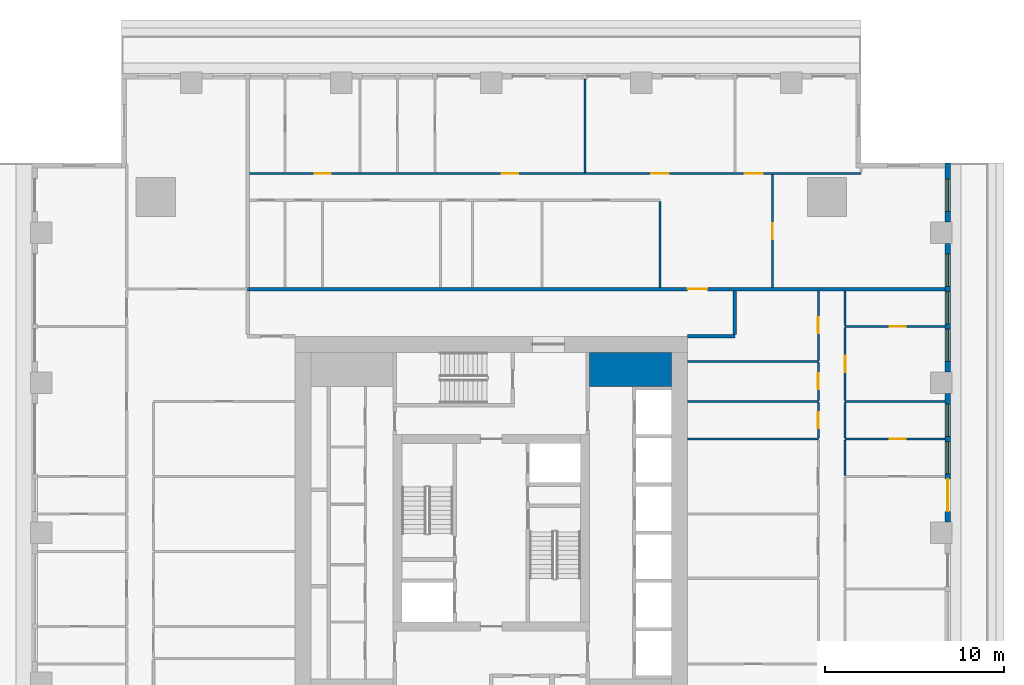
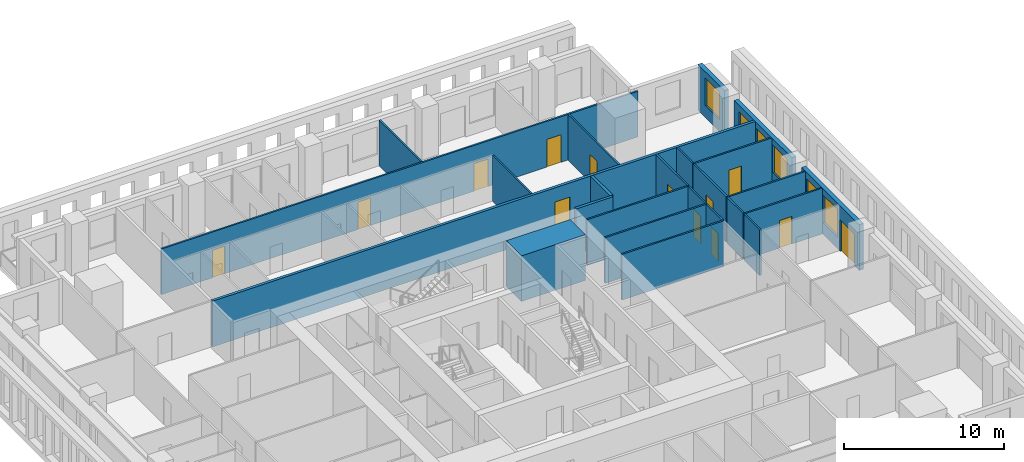
# One storey, part 8 of 14: 24 walls, 13 doors, 6 windows, 19 openings.
"""IFC4 building model written with IfcOpenShell, lengths in metres."""

from ifc_helpers import new_model, si_unit, direction, frame, frame_2d, origin, place, context, subcontext, project, spatial, rectangle, extrude, material, layer, layer_set, type_object, element, fill, save


model = new_model("IFC4")

# Units and contexts
model_context = context("Model", 3, precision=1e-05, world=origin(), true_north=direction((0.0, 1.0)))
body_context = subcontext(model_context, "Body", "Model", "MODEL_VIEW")
ifc_project = project(units=[si_unit("LENGTHUNIT", "METRE"), si_unit("AREAUNIT", "SQUARE_METRE"), si_unit("VOLUMEUNIT", "CUBIC_METRE"), si_unit("PLANEANGLEUNIT", "RADIAN"), si_unit("MASSUNIT", "GRAM", prefix="KILO")], contexts=[model_context])

# Site, building, storey
site_placement = place(None, origin())
site = spatial("IfcSite", under=ifc_project, at=site_placement, CompositionType="ELEMENT")
building_placement = place(site_placement, origin())
building = spatial("IfcBuilding", under=site, at=building_placement, Name="Khepri Terraces", CompositionType="ELEMENT")
storey_placement = place(building_placement, frame((0.0, 0.0, 264.0)))
storey = spatial("IfcBuildingStorey", under=building, at=storey_placement, Name="L63", CompositionType="ELEMENT", Elevation=264.0)

# Walls
ifc_material_1 = material(Name="Concrete C40/50", Category="concrete")
ifc_layer_1 = layer(ifc_material_1, 1.89990234375, Name="Concrete C40/50", Category="concrete")
ifc_layer_set_1 = layer_set([ifc_layer_1], Name="Concrete C40/50")
wall_type_1 = type_object("IfcWallType", Name="Core wall 1900 C40/50", PredefinedType="SHEAR", material=ifc_layer_set_1)
wall_1_placement = place(storey_placement, frame((5.5, 9.14990234375, 0.0), z_axis=(0.0, 0.0, 1.0), x_axis=(1.0, 0.0, 0.0)))
element("IfcWall", 1, at=wall_1_placement, inside=storey, type_object=wall_type_1, Name="Core wall PR04 L63", PredefinedType="SHEAR", context=body_context, shape_type="SweptSolid", body=[
    extrude(rectangle(XDim=4.60009765625, YDim=1.89990234375, at=frame_2d((2.300048828125, 0.0))), origin(), (0.0, 0.0, 1.0), 3.47998046875),
])
ifc_material_2 = material(Name="Fire-rated gypsum plasterboard partition, mineral wool")
ifc_layer_2 = layer(ifc_material_2, 0.199951171875, Name="Fire-rated gypsum plasterboard partition, mineral wool")
ifc_layer_set_2 = layer_set([ifc_layer_2], Name="Fire-rated gypsum plasterboard partition, mineral wool")
wall_type_2 = type_object("IfcWallType", Name="WL-CORR-200", PredefinedType="PARTITIONING", material=ifc_layer_set_2)
wall_2_placement = place(storey_placement, frame((11.0, 11.0, 0.0), z_axis=(0.0, 0.0, 1.0), x_axis=(1.0, 0.0, 0.0)))
element("IfcWall", 2, at=wall_2_placement, inside=storey, type_object=wall_type_2, Name="Partition P-073 L63", PredefinedType="PARTITIONING", context=body_context, shape_type="SweptSolid", body=[
    extrude(rectangle(XDim=2.64990234375, YDim=0.199951171875, at=frame_2d((1.324951171875, 0.0))), origin(), (0.0, 0.0, 1.0), 3.47998046875),
])
wall_3_placement = place(storey_placement, frame((13.64990234375, 11.10009765625, 0.0), z_axis=(0.0, 0.0, 1.0), x_axis=(0.0, 1.0, 0.0)))
element("IfcWall", 3, at=wall_3_placement, inside=storey, type_object=wall_type_2, Name="Partition P-075 L63", PredefinedType="PARTITIONING", context=body_context, shape_type="SweptSolid", body=[
    extrude(rectangle(XDim=2.449951171875, YDim=0.199951171875, at=frame_2d((1.22509765625, 0.0))), origin(), (0.0, 0.0, 1.0), 3.47998046875),
])

# Wall, opening, door
wall_4_placement = place(storey_placement, frame((-13.64990234375, 13.64990234375, 0.0), z_axis=(0.0, 0.0, 1.0), x_axis=(1.0, 0.0, 0.0)))
wall_4 = element("IfcWall", 4, at=wall_4_placement, inside=storey, type_object=wall_type_2, Name="Partition P-081 L63", PredefinedType="PARTITIONING", context=body_context, shape_type="SweptSolid", body=[
    extrude(rectangle(XDim=39.06982421875, YDim=0.199951171875, at=frame_2d((19.534912109375, 0.0))), origin(), (0.0, 0.0, 1.0), 3.47998046875),
])
opening_1_placement = place(wall_4_placement, frame((24.64990234375, 0.0, 0.0)))
opening_1 = element("IfcOpeningElement", 5, at=opening_1_placement, cuts=wall_4, Name="Opening D1", PredefinedType="OPENING", context=body_context, shape_type="SweptSolid", body=[
    extrude(rectangle(XDim=1.10009765625, YDim=2.39990234375, at=frame_2d((0.550048828125, 1.199951171875))), frame((0.0, 0.10986328125, 0.0), z_axis=(0.0, -1.0, 0.0), x_axis=(1.0, 0.0, 0.0)), (0.0, 0.0, 1.0), 0.219970703125),
])
ifc_material_3 = material(Name="Solid-core timber door leaf, flat entrance door", Category="wood")
door_type_1 = type_object("IfcDoorType", Name="DR-ENT-1100", OperationType="NOTDEFINED", PredefinedType="DOOR", material=ifc_material_3)
door_1_placement = place(opening_1_placement, origin())
door_1 = element("IfcDoor", 6, at=door_1_placement, inside=storey, type_object=door_type_1, Name="Flat C1 entrance door", OperationType="SINGLE_SWING_RIGHT", OverallHeight=2.39990234375, OverallWidth=1.10009765625, PredefinedType="DOOR", context=body_context, shape_type="SweptSolid", body=[
    extrude(rectangle(XDim=1.10009765625, YDim=2.39990234375, at=frame_2d((0.550048828125, 1.199951171875))), frame((0.0, 0.02490234375, 0.0), z_axis=(0.0, -1.0, 0.0), x_axis=(1.0, 0.0, 0.0)), (0.0, 0.0, 1.0), 0.050048828125),
])
fill(opening_1, door_1)

# Wall, openings, door, windows
ifc_material_4 = material(Name="Precast concrete C50/60 warm stone", Category="masonry")
ifc_layer_3 = layer(ifc_material_4, 0.300048828125, Name="Precast concrete C50/60 warm stone", Category="masonry")
ifc_layer_set_3 = layer_set([ifc_layer_3], Name="Precast concrete C50/60 warm stone")
wall_type_3 = type_object("IfcWallType", Name="WL-EXT-PRECAST-300", PredefinedType="STANDARD", material=ifc_layer_set_3)
wall_5_placement = place(storey_placement, frame((25.570068359375, 0.60009765625, 0.0), z_axis=(0.0, 0.0, 1.0), x_axis=(0.0, 1.0, 0.0)))
wall_5 = element("IfcWall", 7, at=wall_5_placement, inside=storey, type_object=wall_type_3, Name="External wall L63 E", PredefinedType="STANDARD", context=body_context, shape_type="SweptSolid", body=[
    extrude(rectangle(XDim=7.199951171875, YDim=0.300048828125, at=frame_2d((3.60009765625, 0.0))), origin(), (0.0, 0.0, 1.0), 3.47998046875),
])
opening_2_placement = place(wall_5_placement, frame((0.60009765625, 0.0, 0.0)))
opening_2 = element("IfcOpeningElement", 8, at=opening_2_placement, cuts=wall_5, Name="Opening ED-L63-04", PredefinedType="OPENING", context=body_context, shape_type="SweptSolid", body=[
    extrude(rectangle(XDim=1.800048828125, YDim=2.39990234375, at=frame_2d((0.89990234375, 1.199951171875))), frame((0.0, 0.16015625, 0.0), z_axis=(0.0, -1.0, 0.0), x_axis=(1.0, 0.0, 0.0)), (0.0, 0.0, 1.0), 0.320068359375),
])
opening_3_placement = place(wall_5_placement, frame((2.699951171875, 0.0, 0.89990234375)))
opening_3 = element("IfcOpeningElement", 9, at=opening_3_placement, cuts=wall_5, Name="Opening W1", PredefinedType="OPENING", context=body_context, shape_type="SweptSolid", body=[
    extrude(rectangle(XDim=1.800048828125, YDim=2.10009765625, at=frame_2d((0.89990234375, 1.050048828125))), frame((0.0, 0.16015625, 0.0), z_axis=(0.0, -1.0, 0.0), x_axis=(1.0, 0.0, 0.0)), (0.0, 0.0, 1.0), 0.320068359375),
])
opening_4_placement = place(wall_5_placement, frame((4.800048828125, 0.0, 0.89990234375)))
opening_4 = element("IfcOpeningElement", 10, at=opening_4_placement, cuts=wall_5, Name="Opening W1", PredefinedType="OPENING", context=body_context, shape_type="SweptSolid", body=[
    extrude(rectangle(XDim=1.800048828125, YDim=2.10009765625, at=frame_2d((0.89990234375, 1.050048828125))), frame((0.0, 0.16015625, 0.0), z_axis=(0.0, -1.0, 0.0), x_axis=(1.0, 0.0, 0.0)), (0.0, 0.0, 1.0), 0.320068359375),
])
ifc_material_5 = material(Name="Anodised aluminium bronze glazed door", Category="aluminium")
door_type_2 = type_object("IfcDoorType", Name="DR-BAL-SLIDE-1800x2400", OperationType="NOTDEFINED", PredefinedType="DOOR", material=ifc_material_5)
door_2_placement = place(opening_2_placement, origin())
door_2 = element("IfcDoor", 11, at=door_2_placement, inside=storey, type_object=door_type_2, Name="Balcony door L63 E", OperationType="SLIDING_TO_LEFT", OverallHeight=2.39990234375, OverallWidth=1.800048828125, PredefinedType="DOOR", context=body_context, shape_type="SweptSolid", body=[
    extrude(rectangle(XDim=1.800048828125, YDim=2.39990234375, at=frame_2d((0.89990234375, 1.199951171875))), frame((0.0, 0.02490234375, 0.0), z_axis=(0.0, -1.0, 0.0), x_axis=(1.0, 0.0, 0.0)), (0.0, 0.0, 1.0), 0.050048828125),
])
fill(opening_2, door_2)
ifc_material_6 = material(Name="Clear glass", Category="glass")
window_type = type_object("IfcWindowType", Name="WIN-RES-1800x2100", PartitioningType="SINGLE_PANEL", PredefinedType="WINDOW", material=ifc_material_6)
window_1_placement = place(opening_3_placement, origin())
window_1 = element("IfcWindow", 12, at=window_1_placement, inside=storey, type_object=window_type, Name="Window L63 E", OverallHeight=2.10009765625, OverallWidth=1.800048828125, PartitioningType="SINGLE_PANEL", PredefinedType="WINDOW", context=body_context, shape_type="SweptSolid", body=[
    extrude(rectangle(XDim=1.800048828125, YDim=2.10009765625, at=frame_2d((0.89990234375, 1.050048828125))), frame((0.0, 0.030029296875, 0.0), z_axis=(0.0, -1.0, 0.0), x_axis=(1.0, 0.0, 0.0)), (0.0, 0.0, 1.0), 0.06005859375),
])
fill(opening_3, window_1)
window_2_placement = place(opening_4_placement, origin())
window_2 = element("IfcWindow", 13, at=window_2_placement, inside=storey, type_object=window_type, Name="Window L63 E", OverallHeight=2.10009765625, OverallWidth=1.800048828125, PartitioningType="SINGLE_PANEL", PredefinedType="WINDOW", context=body_context, shape_type="SweptSolid", body=[
    extrude(rectangle(XDim=1.800048828125, YDim=2.10009765625, at=frame_2d((0.89990234375, 1.050048828125))), frame((0.0, 0.030029296875, 0.0), z_axis=(0.0, -1.0, 0.0), x_axis=(1.0, 0.0, 0.0)), (0.0, 0.0, 1.0), 0.06005859375),
])
fill(opening_4, window_2)

# Wall, openings, windows
wall_6_placement = place(storey_placement, frame((25.570068359375, 9.0, 0.0), z_axis=(0.0, 0.0, 1.0), x_axis=(0.0, 1.0, 0.0)))
wall_6 = element("IfcWall", 14, at=wall_6_placement, inside=storey, type_object=wall_type_3, Name="External wall L63 E", PredefinedType="STANDARD", context=body_context, shape_type="SweptSolid", body=[
    extrude(rectangle(XDim=7.199951171875, YDim=0.300048828125, at=frame_2d((3.60009765625, 0.0))), origin(), (0.0, 0.0, 1.0), 3.47998046875),
])
opening_5_placement = place(wall_6_placement, frame((0.60009765625, 0.0, 0.89990234375)))
opening_5 = element("IfcOpeningElement", 15, at=opening_5_placement, cuts=wall_6, Name="Opening W1", PredefinedType="OPENING", context=body_context, shape_type="SweptSolid", body=[
    extrude(rectangle(XDim=1.800048828125, YDim=2.10009765625, at=frame_2d((0.89990234375, 1.050048828125))), frame((0.0, 0.16015625, 0.0), z_axis=(0.0, -1.0, 0.0), x_axis=(1.0, 0.0, 0.0)), (0.0, 0.0, 1.0), 0.320068359375),
])
opening_6_placement = place(wall_6_placement, frame((2.699951171875, 0.0, 0.89990234375)))
opening_6 = element("IfcOpeningElement", 16, at=opening_6_placement, cuts=wall_6, Name="Opening W1", PredefinedType="OPENING", context=body_context, shape_type="SweptSolid", body=[
    extrude(rectangle(XDim=1.800048828125, YDim=2.10009765625, at=frame_2d((0.89990234375, 1.050048828125))), frame((0.0, 0.16015625, 0.0), z_axis=(0.0, -1.0, 0.0), x_axis=(1.0, 0.0, 0.0)), (0.0, 0.0, 1.0), 0.320068359375),
])
opening_7_placement = place(wall_6_placement, frame((4.800048828125, 0.0, 0.89990234375)))
opening_7 = element("IfcOpeningElement", 17, at=opening_7_placement, cuts=wall_6, Name="Opening W1", PredefinedType="OPENING", context=body_context, shape_type="SweptSolid", body=[
    extrude(rectangle(XDim=1.800048828125, YDim=2.10009765625, at=frame_2d((0.89990234375, 1.050048828125))), frame((0.0, 0.16015625, 0.0), z_axis=(0.0, -1.0, 0.0), x_axis=(1.0, 0.0, 0.0)), (0.0, 0.0, 1.0), 0.320068359375),
])
window_3_placement = place(opening_5_placement, origin())
window_3 = element("IfcWindow", 18, at=window_3_placement, inside=storey, type_object=window_type, Name="Window L63 E", OverallHeight=2.10009765625, OverallWidth=1.800048828125, PartitioningType="SINGLE_PANEL", PredefinedType="WINDOW", context=body_context, shape_type="SweptSolid", body=[
    extrude(rectangle(XDim=1.800048828125, YDim=2.10009765625, at=frame_2d((0.89990234375, 1.050048828125))), frame((0.0, 0.030029296875, 0.0), z_axis=(0.0, -1.0, 0.0), x_axis=(1.0, 0.0, 0.0)), (0.0, 0.0, 1.0), 0.06005859375),
])
fill(opening_5, window_3)
window_4_placement = place(opening_6_placement, origin())
window_4 = element("IfcWindow", 19, at=window_4_placement, inside=storey, type_object=window_type, Name="Window L63 E", OverallHeight=2.10009765625, OverallWidth=1.800048828125, PartitioningType="SINGLE_PANEL", PredefinedType="WINDOW", context=body_context, shape_type="SweptSolid", body=[
    extrude(rectangle(XDim=1.800048828125, YDim=2.10009765625, at=frame_2d((0.89990234375, 1.050048828125))), frame((0.0, 0.030029296875, 0.0), z_axis=(0.0, -1.0, 0.0), x_axis=(1.0, 0.0, 0.0)), (0.0, 0.0, 1.0), 0.06005859375),
])
fill(opening_6, window_4)
window_5_placement = place(opening_7_placement, origin())
window_5 = element("IfcWindow", 20, at=window_5_placement, inside=storey, type_object=window_type, Name="Window L63 E", OverallHeight=2.10009765625, OverallWidth=1.800048828125, PartitioningType="SINGLE_PANEL", PredefinedType="WINDOW", context=body_context, shape_type="SweptSolid", body=[
    extrude(rectangle(XDim=1.800048828125, YDim=2.10009765625, at=frame_2d((0.89990234375, 1.050048828125))), frame((0.0, 0.030029296875, 0.0), z_axis=(0.0, -1.0, 0.0), x_axis=(1.0, 0.0, 0.0)), (0.0, 0.0, 1.0), 0.06005859375),
])
fill(opening_7, window_5)

# Wall, opening, window
wall_7_placement = place(storey_placement, frame((25.570068359375, 17.39990234375, 0.0), z_axis=(0.0, 0.0, 1.0), x_axis=(0.0, 1.0, 0.0)))
wall_7 = element("IfcWall", 21, at=wall_7_placement, inside=storey, type_object=wall_type_3, Name="External wall L63 E", PredefinedType="STANDARD", context=body_context, shape_type="SweptSolid", body=[
    extrude(rectangle(XDim=3.320068359375, YDim=0.300048828125, at=frame_2d((1.66015625, 0.0))), origin(), (0.0, 0.0, 1.0), 3.47998046875),
])
opening_8_placement = place(wall_7_placement, frame((0.60009765625, 0.0, 0.89990234375)))
opening_8 = element("IfcOpeningElement", 22, at=opening_8_placement, cuts=wall_7, Name="Opening W1", PredefinedType="OPENING", context=body_context, shape_type="SweptSolid", body=[
    extrude(rectangle(XDim=1.800048828125, YDim=2.10009765625, at=frame_2d((0.89990234375, 1.050048828125))), frame((0.0, 0.16015625, 0.0), z_axis=(0.0, -1.0, 0.0), x_axis=(1.0, 0.0, 0.0)), (0.0, 0.0, 1.0), 0.320068359375),
])
window_6_placement = place(opening_8_placement, origin())
window_6 = element("IfcWindow", 23, at=window_6_placement, inside=storey, type_object=window_type, Name="Window L63 E", OverallHeight=2.10009765625, OverallWidth=1.800048828125, PartitioningType="SINGLE_PANEL", PredefinedType="WINDOW", context=body_context, shape_type="SweptSolid", body=[
    extrude(rectangle(XDim=1.800048828125, YDim=2.10009765625, at=frame_2d((0.89990234375, 1.050048828125))), frame((0.0, 0.030029296875, 0.0), z_axis=(0.0, -1.0, 0.0), x_axis=(1.0, 0.0, 0.0)), (0.0, 0.0, 1.0), 0.06005859375),
])
fill(opening_8, window_6)

# Walls
ifc_material_7 = material(Name="Gypsum plasterboard partition")
ifc_layer_4 = layer(ifc_material_7, 0.1201171875, Name="Gypsum plasterboard partition")
ifc_layer_set_4 = layer_set([ifc_layer_4], Name="Gypsum plasterboard partition")
wall_type_4 = type_object("IfcWallType", Name="WL-PART-120", PredefinedType="PARTITIONING", material=ifc_layer_set_4)
wall_8_placement = place(storey_placement, frame((19.820068359375, 3.2099609375, 0.0), z_axis=(0.0, 0.0, 1.0), x_axis=(0.0, 1.0, 0.0)))
element("IfcWall", 24, at=wall_8_placement, inside=storey, type_object=wall_type_4, Name="Partition P-060 L63", PredefinedType="PARTITIONING", context=body_context, shape_type="SweptSolid", body=[
    extrude(rectangle(XDim=1.97998046875, YDim=0.1201171875, at=frame_2d((0.989990234375, 0.0))), origin(), (0.0, 0.0, 1.0), 3.47998046875),
])
wall_9_placement = place(storey_placement, frame((11.0, 5.25, 0.0), z_axis=(0.0, 0.0, 1.0), x_axis=(1.0, 0.0, 0.0)))
element("IfcWall", 25, at=wall_9_placement, inside=storey, type_object=wall_type_4, Name="Partition P-061 L63", PredefinedType="PARTITIONING", context=body_context, shape_type="SweptSolid", body=[
    extrude(rectangle(XDim=7.320068359375, YDim=0.1201171875, at=frame_2d((3.66015625, 0.0))), origin(), (0.0, 0.0, 1.0), 3.47998046875),
])

# Wall, opening, door
wall_10_placement = place(storey_placement, frame((19.820068359375, 5.25, 0.0), z_axis=(0.0, 0.0, 1.0), x_axis=(1.0, 0.0, 0.0)))
wall_10 = element("IfcWall", 26, at=wall_10_placement, inside=storey, type_object=wall_type_4, Name="Partition P-062 L63", PredefinedType="PARTITIONING", context=body_context, shape_type="SweptSolid", body=[
    extrude(rectangle(XDim=5.599853515625, YDim=0.1201171875, at=frame_2d((2.7998046875, 0.0))), origin(), (0.0, 0.0, 1.0), 3.47998046875),
])
opening_9_placement = place(wall_10_placement, frame((2.5, 0.0, 0.0)))
opening_9 = element("IfcOpeningElement", 27, at=opening_9_placement, cuts=wall_10, Name="Opening D4", PredefinedType="OPENING", context=body_context, shape_type="SweptSolid", body=[
    extrude(rectangle(XDim=0.89990234375, YDim=2.10009765625, at=frame_2d((0.449951171875, 1.050048828125))), frame((0.0, 0.070068359375, 0.0), z_axis=(0.0, -1.0, 0.0), x_axis=(1.0, 0.0, 0.0)), (0.0, 0.0, 1.0), 0.14013671875),
])
ifc_material_8 = material(Name="Timber door leaf, moisture resistant", Category="wood")
door_type_3 = type_object("IfcDoorType", Name="DR-WET-900", OperationType="NOTDEFINED", PredefinedType="DOOR", material=ifc_material_8)
door_3_placement = place(opening_9_placement, origin())
door_3 = element("IfcDoor", 28, at=door_3_placement, inside=storey, type_object=door_type_3, Name="Door Bathroom", OperationType="SINGLE_SWING_RIGHT", OverallHeight=2.10009765625, OverallWidth=0.89990234375, PredefinedType="DOOR", context=body_context, shape_type="SweptSolid", body=[
    extrude(rectangle(XDim=0.89990234375, YDim=2.10009765625, at=frame_2d((0.449951171875, 1.050048828125))), frame((0.0, 0.02490234375, 0.0), z_axis=(0.0, -1.0, 0.0), x_axis=(1.0, 0.0, 0.0)), (0.0, 0.0, 1.0), 0.050048828125),
])
fill(opening_9, door_3)

wall_11_placement = place(storey_placement, frame((18.320068359375, 5.31005859375, 0.0), z_axis=(0.0, 0.0, 1.0), x_axis=(0.0, 1.0, 0.0)))
wall_11 = element("IfcWall", 29, at=wall_11_placement, inside=storey, type_object=wall_type_4, Name="Partition P-063 L63", PredefinedType="PARTITIONING", context=body_context, shape_type="SweptSolid", body=[
    extrude(rectangle(XDim=1.97998046875, YDim=0.1201171875, at=frame_2d((0.989990234375, 0.0))), origin(), (0.0, 0.0, 1.0), 3.47998046875),
])
opening_10_placement = place(wall_11_placement, frame((0.5400390625, 0.0, 0.0)))
opening_10 = element("IfcOpeningElement", 30, at=opening_10_placement, cuts=wall_11, Name="Opening D4", PredefinedType="OPENING", context=body_context, shape_type="SweptSolid", body=[
    extrude(rectangle(XDim=0.89990234375, YDim=2.10009765625, at=frame_2d((0.449951171875, 1.050048828125))), frame((0.0, 0.070068359375, 0.0), z_axis=(0.0, -1.0, 0.0), x_axis=(1.0, 0.0, 0.0)), (0.0, 0.0, 1.0), 0.14013671875),
])
door_4_placement = place(opening_10_placement, origin())
door_4 = element("IfcDoor", 31, at=door_4_placement, inside=storey, type_object=door_type_3, Name="Door Powder Room", OperationType="SINGLE_SWING_RIGHT", OverallHeight=2.10009765625, OverallWidth=0.89990234375, PredefinedType="DOOR", context=body_context, shape_type="SweptSolid", body=[
    extrude(rectangle(XDim=0.89990234375, YDim=2.10009765625, at=frame_2d((0.449951171875, 1.050048828125))), frame((0.0, 0.02490234375, 0.0), z_axis=(0.0, -1.0, 0.0), x_axis=(1.0, 0.0, 0.0)), (0.0, 0.0, 1.0), 0.050048828125),
])
fill(opening_10, door_4)

# Walls
wall_12_placement = place(storey_placement, frame((19.820068359375, 5.31005859375, 0.0), z_axis=(0.0, 0.0, 1.0), x_axis=(0.0, 1.0, 0.0)))
element("IfcWall", 32, at=wall_12_placement, inside=storey, type_object=wall_type_4, Name="Partition P-064 L63", PredefinedType="PARTITIONING", context=body_context, shape_type="SweptSolid", body=[
    extrude(rectangle(XDim=1.97998046875, YDim=0.1201171875, at=frame_2d((0.989990234375, 0.0))), origin(), (0.0, 0.0, 1.0), 3.47998046875),
])
wall_13_placement = place(storey_placement, frame((11.0, 7.35009765625, 0.0), z_axis=(0.0, 0.0, 1.0), x_axis=(1.0, 0.0, 0.0)))
element("IfcWall", 33, at=wall_13_placement, inside=storey, type_object=wall_type_4, Name="Partition P-066 L63", PredefinedType="PARTITIONING", context=body_context, shape_type="SweptSolid", body=[
    extrude(rectangle(XDim=7.320068359375, YDim=0.1201171875, at=frame_2d((3.66015625, 0.0))), origin(), (0.0, 0.0, 1.0), 3.47998046875),
])
wall_14_placement = place(storey_placement, frame((19.820068359375, 7.35009765625, 0.0), z_axis=(0.0, 0.0, 1.0), x_axis=(1.0, 0.0, 0.0)))
element("IfcWall", 34, at=wall_14_placement, inside=storey, type_object=wall_type_4, Name="Partition P-067 L63", PredefinedType="PARTITIONING", context=body_context, shape_type="SweptSolid", body=[
    extrude(rectangle(XDim=5.599853515625, YDim=0.1201171875, at=frame_2d((2.7998046875, 0.0))), origin(), (0.0, 0.0, 1.0), 3.47998046875),
])

# Wall, opening, door
wall_15_placement = place(storey_placement, frame((18.320068359375, 7.409912109375, 0.0), z_axis=(0.0, 0.0, 1.0), x_axis=(0.0, 1.0, 0.0)))
wall_15 = element("IfcWall", 35, at=wall_15_placement, inside=storey, type_object=wall_type_4, Name="Partition P-068 L63", PredefinedType="PARTITIONING", context=body_context, shape_type="SweptSolid", body=[
    extrude(rectangle(XDim=2.130126953125, YDim=0.1201171875, at=frame_2d((1.06494140625, 0.0))), origin(), (0.0, 0.0, 1.0), 3.47998046875),
])
opening_11_placement = place(wall_15_placement, frame((0.614990234375, 0.0, 0.0)))
opening_11 = element("IfcOpeningElement", 36, at=opening_11_placement, cuts=wall_15, Name="Opening D4", PredefinedType="OPENING", context=body_context, shape_type="SweptSolid", body=[
    extrude(rectangle(XDim=0.89990234375, YDim=2.10009765625, at=frame_2d((0.449951171875, 1.050048828125))), frame((0.0, 0.070068359375, 0.0), z_axis=(0.0, -1.0, 0.0), x_axis=(1.0, 0.0, 0.0)), (0.0, 0.0, 1.0), 0.14013671875),
])
door_5_placement = place(opening_11_placement, origin())
door_5 = element("IfcDoor", 37, at=door_5_placement, inside=storey, type_object=door_type_3, Name="Door Guest Bathroom", OperationType="SINGLE_SWING_RIGHT", OverallHeight=2.10009765625, OverallWidth=0.89990234375, PredefinedType="DOOR", context=body_context, shape_type="SweptSolid", body=[
    extrude(rectangle(XDim=0.89990234375, YDim=2.10009765625, at=frame_2d((0.449951171875, 1.050048828125))), frame((0.0, 0.02490234375, 0.0), z_axis=(0.0, -1.0, 0.0), x_axis=(1.0, 0.0, 0.0)), (0.0, 0.0, 1.0), 0.050048828125),
])
fill(opening_11, door_5)

wall_16_placement = place(storey_placement, frame((19.820068359375, 7.409912109375, 0.0), z_axis=(0.0, 0.0, 1.0), x_axis=(0.0, 1.0, 0.0)))
wall_16 = element("IfcWall", 38, at=wall_16_placement, inside=storey, type_object=wall_type_4, Name="Partition P-069 L63", PredefinedType="PARTITIONING", context=body_context, shape_type="SweptSolid", body=[
    extrude(rectangle(XDim=4.080078125, YDim=0.1201171875, at=frame_2d((2.0400390625, 0.0))), origin(), (0.0, 0.0, 1.0), 3.47998046875),
])
opening_12_placement = place(wall_16_placement, frame((1.590087890625, 0.0, 0.0)))
opening_12 = element("IfcOpeningElement", 39, at=opening_12_placement, cuts=wall_16, Name="Opening D3", PredefinedType="OPENING", context=body_context, shape_type="SweptSolid", body=[
    extrude(rectangle(XDim=0.89990234375, YDim=2.10009765625, at=frame_2d((0.449951171875, 1.050048828125))), frame((0.0, 0.070068359375, 0.0), z_axis=(0.0, -1.0, 0.0), x_axis=(1.0, 0.0, 0.0)), (0.0, 0.0, 1.0), 0.14013671875),
])
ifc_material_9 = material(Name="Timber door leaf", Category="wood")
door_type_4 = type_object("IfcDoorType", Name="DR-INT-900", OperationType="NOTDEFINED", PredefinedType="DOOR", material=ifc_material_9)
door_6_placement = place(opening_12_placement, frame((0.89990234375, 0.0, 0.0), z_axis=(0.0, 0.0, 1.0), x_axis=(-1.0, 0.0, 0.0)))
door_6 = element("IfcDoor", 40, at=door_6_placement, inside=storey, type_object=door_type_4, Name="Door Bedroom", OperationType="SINGLE_SWING_RIGHT", OverallHeight=2.10009765625, OverallWidth=0.89990234375, PredefinedType="DOOR", context=body_context, shape_type="SweptSolid", body=[
    extrude(rectangle(XDim=0.89990234375, YDim=2.10009765625, at=frame_2d((0.449951171875, 1.050048828125))), frame((0.0, 0.02490234375, 0.0), z_axis=(0.0, -1.0, 0.0), x_axis=(1.0, 0.0, 0.0)), (0.0, 0.0, 1.0), 0.050048828125),
])
fill(opening_12, door_6)

# Wall
wall_17_placement = place(storey_placement, frame((11.0, 9.60009765625, 0.0), z_axis=(0.0, 0.0, 1.0), x_axis=(1.0, 0.0, 0.0)))
element("IfcWall", 41, at=wall_17_placement, inside=storey, type_object=wall_type_4, Name="Partition P-070 L63", PredefinedType="PARTITIONING", context=body_context, shape_type="SweptSolid", body=[
    extrude(rectangle(XDim=7.320068359375, YDim=0.1201171875, at=frame_2d((3.66015625, 0.0))), origin(), (0.0, 0.0, 1.0), 3.47998046875),
])

# Wall, opening, door
wall_18_placement = place(storey_placement, frame((18.320068359375, 9.659912109375, 0.0), z_axis=(0.0, 0.0, 1.0), x_axis=(0.0, 1.0, 0.0)))
wall_18 = element("IfcWall", 42, at=wall_18_placement, inside=storey, type_object=wall_type_4, Name="Partition P-071 L63", PredefinedType="PARTITIONING", context=body_context, shape_type="SweptSolid", body=[
    extrude(rectangle(XDim=3.89013671875, YDim=0.1201171875, at=frame_2d((1.945068359375, 0.0))), origin(), (0.0, 0.0, 1.0), 3.47998046875),
])
opening_13_placement = place(wall_18_placement, frame((1.514892578125, 0.0, 0.0)))
opening_13 = element("IfcOpeningElement", 43, at=opening_13_placement, cuts=wall_18, Name="Opening D3", PredefinedType="OPENING", context=body_context, shape_type="SweptSolid", body=[
    extrude(rectangle(XDim=0.89990234375, YDim=2.10009765625, at=frame_2d((0.449951171875, 1.050048828125))), frame((0.0, 0.070068359375, 0.0), z_axis=(0.0, -1.0, 0.0), x_axis=(1.0, 0.0, 0.0)), (0.0, 0.0, 1.0), 0.14013671875),
])
door_7_placement = place(opening_13_placement, origin())
door_7 = element("IfcDoor", 44, at=door_7_placement, inside=storey, type_object=door_type_4, Name="Door Library", OperationType="SINGLE_SWING_RIGHT", OverallHeight=2.10009765625, OverallWidth=0.89990234375, PredefinedType="DOOR", context=body_context, shape_type="SweptSolid", body=[
    extrude(rectangle(XDim=0.89990234375, YDim=2.10009765625, at=frame_2d((0.449951171875, 1.050048828125))), frame((0.0, 0.02490234375, 0.0), z_axis=(0.0, -1.0, 0.0), x_axis=(1.0, 0.0, 0.0)), (0.0, 0.0, 1.0), 0.050048828125),
])
fill(opening_13, door_7)

wall_19_placement = place(storey_placement, frame((19.820068359375, 11.550048828125, 0.0), z_axis=(0.0, 0.0, 1.0), x_axis=(1.0, 0.0, 0.0)))
wall_19 = element("IfcWall", 45, at=wall_19_placement, inside=storey, type_object=wall_type_4, Name="Partition P-077 L63", PredefinedType="PARTITIONING", context=body_context, shape_type="SweptSolid", body=[
    extrude(rectangle(XDim=5.599853515625, YDim=0.1201171875, at=frame_2d((2.7998046875, 0.0))), origin(), (0.0, 0.0, 1.0), 3.47998046875),
])
opening_14_placement = place(wall_19_placement, frame((2.5, 0.0, 0.0)))
opening_14 = element("IfcOpeningElement", 46, at=opening_14_placement, cuts=wall_19, Name="Opening D4", PredefinedType="OPENING", context=body_context, shape_type="SweptSolid", body=[
    extrude(rectangle(XDim=0.89990234375, YDim=2.10009765625, at=frame_2d((0.449951171875, 1.050048828125))), frame((0.0, 0.070068359375, 0.0), z_axis=(0.0, -1.0, 0.0), x_axis=(1.0, 0.0, 0.0)), (0.0, 0.0, 1.0), 0.14013671875),
])
door_8_placement = place(opening_14_placement, origin())
door_8 = element("IfcDoor", 47, at=door_8_placement, inside=storey, type_object=door_type_3, Name="Door Bathroom", OperationType="SINGLE_SWING_RIGHT", OverallHeight=2.10009765625, OverallWidth=0.89990234375, PredefinedType="DOOR", context=body_context, shape_type="SweptSolid", body=[
    extrude(rectangle(XDim=0.89990234375, YDim=2.10009765625, at=frame_2d((0.449951171875, 1.050048828125))), frame((0.0, 0.02490234375, 0.0), z_axis=(0.0, -1.0, 0.0), x_axis=(1.0, 0.0, 0.0)), (0.0, 0.0, 1.0), 0.050048828125),
])
fill(opening_14, door_8)

# Walls
wall_20_placement = place(storey_placement, frame((19.820068359375, 11.610107421875, 0.0), z_axis=(0.0, 0.0, 1.0), x_axis=(0.0, 1.0, 0.0)))
element("IfcWall", 48, at=wall_20_placement, inside=storey, type_object=wall_type_4, Name="Partition P-079 L63", PredefinedType="PARTITIONING", context=body_context, shape_type="SweptSolid", body=[
    extrude(rectangle(XDim=1.93994140625, YDim=0.1201171875, at=frame_2d((0.969970703125, 0.0))), origin(), (0.0, 0.0, 1.0), 3.47998046875),
])
wall_21_placement = place(storey_placement, frame((9.449951171875, 13.75, 0.0), z_axis=(0.0, 0.0, 1.0), x_axis=(0.0, 1.0, 0.0)))
element("IfcWall", 49, at=wall_21_placement, inside=storey, type_object=wall_type_4, Name="Partition P-089 L63", PredefinedType="PARTITIONING", context=body_context, shape_type="SweptSolid", body=[
    extrude(rectangle(XDim=4.81005859375, YDim=0.1201171875, at=frame_2d((2.405029296875, 0.0))), origin(), (0.0, 0.0, 1.0), 3.47998046875),
])

# Wall, opening, door
wall_22_placement = place(storey_placement, frame((15.75, 13.75, 0.0), z_axis=(0.0, 0.0, 1.0), x_axis=(0.0, 1.0, 0.0)))
wall_22 = element("IfcWall", 50, at=wall_22_placement, inside=storey, type_object=wall_type_4, Name="Partition P-090 L63", PredefinedType="PARTITIONING", context=body_context, shape_type="SweptSolid", body=[
    extrude(rectangle(XDim=6.31005859375, YDim=0.1201171875, at=frame_2d((3.155029296875, 0.0))), origin(), (0.0, 0.0, 1.0), 3.47998046875),
])
opening_15_placement = place(wall_22_placement, frame((2.68505859375, 0.0, 0.0)))
opening_15 = element("IfcOpeningElement", 51, at=opening_15_placement, cuts=wall_22, Name="Opening D3", PredefinedType="OPENING", context=body_context, shape_type="SweptSolid", body=[
    extrude(rectangle(XDim=0.89990234375, YDim=2.10009765625, at=frame_2d((0.449951171875, 1.050048828125))), frame((0.0, 0.070068359375, 0.0), z_axis=(0.0, -1.0, 0.0), x_axis=(1.0, 0.0, 0.0)), (0.0, 0.0, 1.0), 0.14013671875),
])
door_9_placement = place(opening_15_placement, frame((0.89990234375, 0.0, 0.0), z_axis=(0.0, 0.0, 1.0), x_axis=(-1.0, 0.0, 0.0)))
door_9 = element("IfcDoor", 52, at=door_9_placement, inside=storey, type_object=door_type_4, Name="Door Home Cinema", OperationType="SINGLE_SWING_RIGHT", OverallHeight=2.10009765625, OverallWidth=0.89990234375, PredefinedType="DOOR", context=body_context, shape_type="SweptSolid", body=[
    extrude(rectangle(XDim=0.89990234375, YDim=2.10009765625, at=frame_2d((0.449951171875, 1.050048828125))), frame((0.0, 0.02490234375, 0.0), z_axis=(0.0, -1.0, 0.0), x_axis=(1.0, 0.0, 0.0)), (0.0, 0.0, 1.0), 0.050048828125),
])
fill(opening_15, door_9)

# Wall, openings, doors
wall_23_placement = place(storey_placement, frame((-13.550048828125, 20.1201171875, 0.0), z_axis=(0.0, 0.0, 1.0), x_axis=(1.0, 0.0, 0.0)))
wall_23 = element("IfcWall", 53, at=wall_23_placement, inside=storey, type_object=wall_type_4, Name="Partition P-092 L63", PredefinedType="PARTITIONING", context=body_context, shape_type="SweptSolid", body=[
    extrude(rectangle(XDim=34.26904296875, YDim=0.1201171875, at=frame_2d((17.134521484375, 0.0))), origin(), (0.0, 0.0, 1.0), 3.47998046875),
])
opening_16_placement = place(wall_23_placement, frame((27.75, 0.0, 0.0)))
opening_16 = element("IfcOpeningElement", 54, at=opening_16_placement, cuts=wall_23, Name="Opening D2", PredefinedType="OPENING", context=body_context, shape_type="SweptSolid", body=[
    extrude(rectangle(XDim=1.0, YDim=2.10009765625, at=frame_2d((0.5, 1.050048828125))), frame((0.0, 0.070068359375, 0.0), z_axis=(0.0, -1.0, 0.0), x_axis=(1.0, 0.0, 0.0)), (0.0, 0.0, 1.0), 0.14013671875),
])
opening_17_placement = place(wall_23_placement, frame((22.5, 0.0, 0.0)))
opening_17 = element("IfcOpeningElement", 55, at=opening_17_placement, cuts=wall_23, Name="Opening D2", PredefinedType="OPENING", context=body_context, shape_type="SweptSolid", body=[
    extrude(rectangle(XDim=1.0, YDim=2.10009765625, at=frame_2d((0.5, 1.050048828125))), frame((0.0, 0.070068359375, 0.0), z_axis=(0.0, -1.0, 0.0), x_axis=(1.0, 0.0, 0.0)), (0.0, 0.0, 1.0), 0.14013671875),
])
opening_18_placement = place(wall_23_placement, frame((14.14990234375, 0.0, 0.0)))
opening_18 = element("IfcOpeningElement", 56, at=opening_18_placement, cuts=wall_23, Name="Opening D3", PredefinedType="OPENING", context=body_context, shape_type="SweptSolid", body=[
    extrude(rectangle(XDim=0.89990234375, YDim=2.10009765625, at=frame_2d((0.449951171875, 1.050048828125))), frame((0.0, 0.070068359375, 0.0), z_axis=(0.0, -1.0, 0.0), x_axis=(1.0, 0.0, 0.0)), (0.0, 0.0, 1.0), 0.14013671875),
])
opening_19_placement = place(wall_23_placement, frame((3.64990234375, 0.0, 0.0)))
opening_19 = element("IfcOpeningElement", 57, at=opening_19_placement, cuts=wall_23, Name="Opening D3", PredefinedType="OPENING", context=body_context, shape_type="SweptSolid", body=[
    extrude(rectangle(XDim=0.89990234375, YDim=2.10009765625, at=frame_2d((0.449951171875, 1.050048828125))), frame((0.0, 0.070068359375, 0.0), z_axis=(0.0, -1.0, 0.0), x_axis=(1.0, 0.0, 0.0)), (0.0, 0.0, 1.0), 0.14013671875),
])
ifc_material_10 = material(Name="Timber door leaf, living room door", Category="wood")
door_type_5 = type_object("IfcDoorType", Name="DR-INT-1000", OperationType="NOTDEFINED", PredefinedType="DOOR", material=ifc_material_10)
door_10_placement = place(opening_16_placement, origin())
door_10 = element("IfcDoor", 58, at=door_10_placement, inside=storey, type_object=door_type_5, Name="Door Sun Lounge", OperationType="SINGLE_SWING_RIGHT", OverallHeight=2.10009765625, OverallWidth=1.0, PredefinedType="DOOR", context=body_context, shape_type="SweptSolid", body=[
    extrude(rectangle(XDim=1.0, YDim=2.10009765625, at=frame_2d((0.5, 1.050048828125))), frame((0.0, 0.02490234375, 0.0), z_axis=(0.0, -1.0, 0.0), x_axis=(1.0, 0.0, 0.0)), (0.0, 0.0, 1.0), 0.050048828125),
])
fill(opening_16, door_10)
door_11_placement = place(opening_17_placement, origin())
door_11 = element("IfcDoor", 59, at=door_11_placement, inside=storey, type_object=door_type_5, Name="Door Living Room", OperationType="SINGLE_SWING_RIGHT", OverallHeight=2.10009765625, OverallWidth=1.0, PredefinedType="DOOR", context=body_context, shape_type="SweptSolid", body=[
    extrude(rectangle(XDim=1.0, YDim=2.10009765625, at=frame_2d((0.5, 1.050048828125))), frame((0.0, 0.02490234375, 0.0), z_axis=(0.0, -1.0, 0.0), x_axis=(1.0, 0.0, 0.0)), (0.0, 0.0, 1.0), 0.050048828125),
])
fill(opening_17, door_11)
door_12_placement = place(opening_18_placement, origin())
door_12 = element("IfcDoor", 60, at=door_12_placement, inside=storey, type_object=door_type_4, Name="Door Master Bedroom", OperationType="SINGLE_SWING_LEFT", OverallHeight=2.10009765625, OverallWidth=0.89990234375, PredefinedType="DOOR", context=body_context, shape_type="SweptSolid", body=[
    extrude(rectangle(XDim=0.89990234375, YDim=2.10009765625, at=frame_2d((0.449951171875, 1.050048828125))), frame((0.0, 0.02490234375, 0.0), z_axis=(0.0, -1.0, 0.0), x_axis=(1.0, 0.0, 0.0)), (0.0, 0.0, 1.0), 0.050048828125),
])
fill(opening_18, door_12)
door_13_placement = place(opening_19_placement, origin())
door_13 = element("IfcDoor", 61, at=door_13_placement, inside=storey, type_object=door_type_4, Name="Door Bedroom", OperationType="SINGLE_SWING_LEFT", OverallHeight=2.10009765625, OverallWidth=0.89990234375, PredefinedType="DOOR", context=body_context, shape_type="SweptSolid", body=[
    extrude(rectangle(XDim=0.89990234375, YDim=2.10009765625, at=frame_2d((0.449951171875, 1.050048828125))), frame((0.0, 0.02490234375, 0.0), z_axis=(0.0, -1.0, 0.0), x_axis=(1.0, 0.0, 0.0)), (0.0, 0.0, 1.0), 0.050048828125),
])
fill(opening_19, door_13)

# Wall
wall_24_placement = place(storey_placement, frame((5.25, 20.179931640625, 0.0), z_axis=(0.0, 0.0, 1.0), x_axis=(0.0, 1.0, 0.0)))
element("IfcWall", 62, at=wall_24_placement, inside=storey, type_object=wall_type_4, Name="Partition P-097 L63", PredefinedType="PARTITIONING", context=body_context, shape_type="SweptSolid", body=[
    extrude(rectangle(XDim=5.239990234375, YDim=0.1201171875, at=frame_2d((2.6201171875, 0.0))), origin(), (0.0, 0.0, 1.0), 3.47998046875),
])

save(model, "model.ifc")
